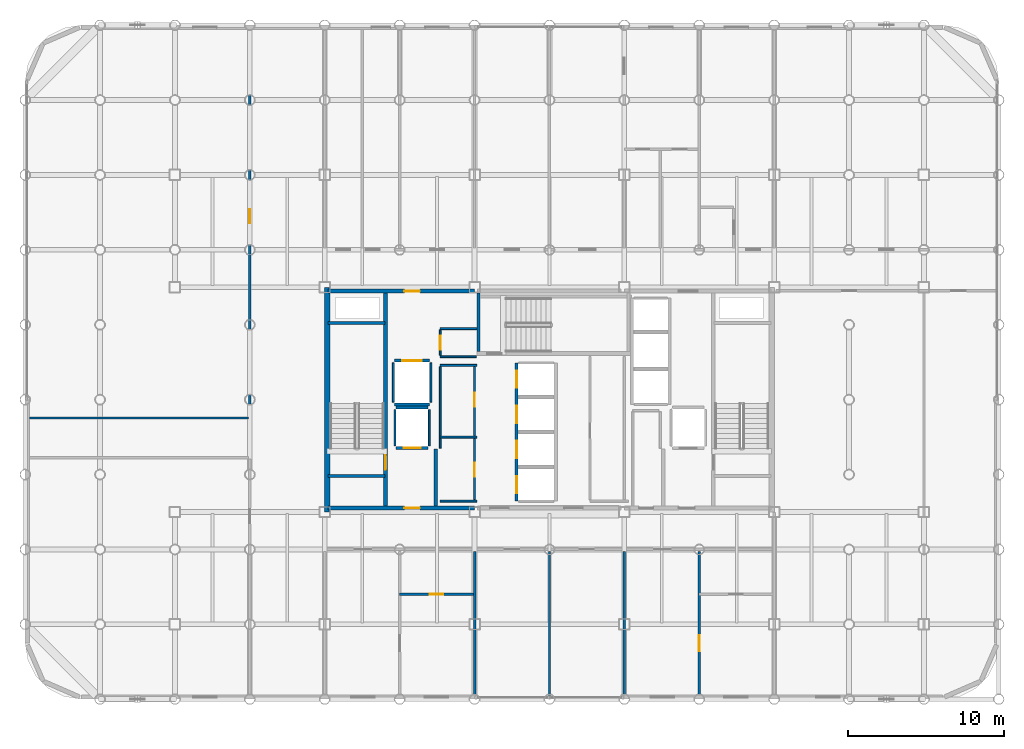
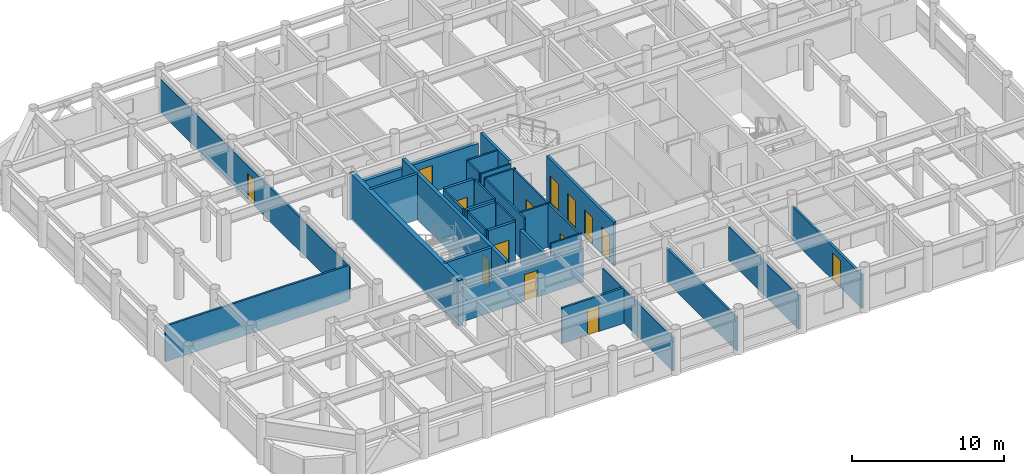
# One storey, part 16 of 20: 32 walls, 15 doors, 15 openings.
"""IFC4 building model written with IfcOpenShell, lengths in metres."""

from ifc_helpers import new_model, si_unit, direction, frame, frame_2d, origin, place, context, subcontext, project, spatial, rectangle, extrude, material, layer, layer_set, type_object, element, fill, save


model = new_model("IFC4")

# Units and contexts
model_context = context("Model", 3, precision=1e-05, world=origin(), true_north=direction((0.0, 1.0)))
body_context = subcontext(model_context, "Body", "Model", "MODEL_VIEW")
ifc_project = project(units=[si_unit("LENGTHUNIT", "METRE"), si_unit("AREAUNIT", "SQUARE_METRE"), si_unit("VOLUMEUNIT", "CUBIC_METRE"), si_unit("PLANEANGLEUNIT", "RADIAN"), si_unit("MASSUNIT", "GRAM", prefix="KILO")], contexts=[model_context])

# Site, building, storey
site_placement = place(None, origin())
site = spatial("IfcSite", under=ifc_project, at=site_placement, CompositionType="ELEMENT")
building_placement = place(site_placement, origin())
building = spatial("IfcBuilding", under=site, at=building_placement, Name="Kallvorn Hotel Tower", CompositionType="ELEMENT")
storey_placement = place(building_placement, frame((0.0, 0.0, 135.89990234375)))
storey = spatial("IfcBuildingStorey", under=building, at=storey_placement, Name="L33", CompositionType="ELEMENT", Elevation=135.89990234375)

# Wall
ifc_material_1 = material(Name="Concrete C50/60", Category="concrete")
ifc_layer_1 = layer(ifc_material_1, 0.35009765625)
ifc_layer_set_1 = layer_set([ifc_layer_1], Name="WL_CORE_350")
wall_type_1 = type_object("IfcWallType", Name="WL_CORE_350", PredefinedType="SHEAR", material=ifc_layer_set_1)
wall_1_placement = place(storey_placement, frame((-14.239990234375, -7.199951171875, -0.179931640625), z_axis=(0.0, 0.0, 1.0), x_axis=(0.0, 1.0, 0.0)))
element("IfcWall", 1, at=wall_1_placement, inside=storey, type_object=wall_type_1, Name="L33 Core West Shear Wall", PredefinedType="SHEAR", context=body_context, shape_type="SweptSolid", body=[
    extrude(rectangle(XDim=14.39990234375, YDim=0.35009765625, at=frame_2d((7.199951171875, 0.0))), origin(), (0.0, 0.0, 1.0), 3.699951171875),
])

# Wall, opening, door
ifc_material_2 = material(Name="Fire-rated double-layer acoustic gypsum drywall EI 60")
ifc_layer_2 = layer(ifc_material_2, 0.159912109375)
ifc_layer_set_2 = layer_set([ifc_layer_2], Name="WL_DEMISE_160")
wall_type_2 = type_object("IfcWallType", Name="WL_DEMISE_160", PredefinedType="PARTITIONING", material=ifc_layer_set_2)
wall_2_placement = place(storey_placement, frame((-9.60009765625, -12.469970703125, 0.0), z_axis=(0.0, 0.0, 1.0), x_axis=(1.0, 0.0, 0.0)))
wall_2 = element("IfcWall", 2, at=wall_2_placement, inside=storey, type_object=wall_type_2, Name="L33 Suite 3301 Executive Bedroom Partition", PredefinedType="PARTITIONING", context=body_context, shape_type="SweptSolid", body=[
    extrude(rectangle(XDim=4.72021484375, YDim=0.159912109375, at=frame_2d((2.360107421875, 0.0))), origin(), (0.0, 0.0, 1.0), 2.8701171875),
])
opening_1_placement = place(wall_2_placement, frame((1.929931640625, 0.0, 0.0)))
opening_1 = element("IfcOpeningElement", 3, at=opening_1_placement, cuts=wall_2, Name="Opening BD-I", PredefinedType="OPENING", context=body_context, shape_type="SweptSolid", body=[
    extrude(rectangle(XDim=0.860107421875, YDim=2.10009765625, at=frame_2d((0.43017578125, 1.050048828125))), frame((0.0, 0.094970703125, 0.0), z_axis=(0.0, -1.0, 0.0), x_axis=(1.0, 0.0, 0.0)), (0.0, 0.0, 1.0), 0.18994140625),
])
ifc_material_3 = material(Name="Solid-core walnut veneer fire-rated timber door leaf", Category="wood")
door_type_1 = type_object("IfcDoorType", Name="DR_BATH_860x2100", OperationType="NOTDEFINED", PredefinedType="DOOR", material=ifc_material_3)
door_1_placement = place(opening_1_placement, origin())
door_1 = element("IfcDoor", 4, at=door_1_placement, inside=storey, type_object=door_type_1, Name="L33 Suite 3301 En-Suite Bathroom Door", OperationType="SINGLE_SWING_RIGHT", OverallHeight=2.10009765625, OverallWidth=0.860107421875, PredefinedType="DOOR", context=body_context, shape_type="SweptSolid", body=[
    extrude(rectangle(XDim=0.860107421875, YDim=2.10009765625, at=frame_2d((0.43017578125, 1.050048828125))), frame((0.0, 0.02490234375, 0.0), z_axis=(0.0, -1.0, 0.0), x_axis=(1.0, 0.0, 0.0)), (0.0, 0.0, 1.0), 0.050048828125),
])
fill(opening_1, door_1)

# Walls
for number, where, z_axis, x_axis, name in (
    (5, (-4.800048828125, -18.909912109375, 0.0), (0.0, 0.0, 1.0), (0.0, 1.0, 0.0), "L33 Suite 3301 Executive Bedroom Partition"),
    (6, (4.800048828125, -18.909912109375, 0.0), (0.0, 0.0, 1.0), (0.0, 1.0, 0.0), "L33 Suite 3302 Executive Living Salon Partition"),
):
    element("IfcWall", number, at=place(storey_placement, frame(where, z_axis=z_axis, x_axis=x_axis)), inside=storey, type_object=wall_type_2, Name=name, PredefinedType="PARTITIONING", context=body_context, shape_type="SweptSolid", body=[
        extrude(rectangle(XDim=9.18994140625, YDim=0.159912109375, at=frame_2d((4.594970703125, 0.0))), origin(), (0.0, 0.0, 1.0), 2.72021484375),
    ])

# Wall, opening, door
wall_3_placement = place(storey_placement, frame((9.60009765625, -18.909912109375, 0.0), z_axis=(0.0, 0.0, 1.0), x_axis=(0.0, 1.0, 0.0)))
wall_3 = element("IfcWall", 7, at=wall_3_placement, inside=storey, type_object=wall_type_2, Name="L33 Suite 3302 Executive Bedroom Partition", PredefinedType="PARTITIONING", context=body_context, shape_type="SweptSolid", body=[
    extrude(rectangle(XDim=9.18994140625, YDim=0.159912109375, at=frame_2d((4.594970703125, 0.0))), origin(), (0.0, 0.0, 1.0), 2.72021484375),
])
opening_2_placement = place(wall_3_placement, frame((2.77490234375, 0.0, 0.0)))
opening_2 = element("IfcOpeningElement", 8, at=opening_2_placement, cuts=wall_3, Name="Opening GD2", PredefinedType="OPENING", context=body_context, shape_type="SweptSolid", body=[
    extrude(rectangle(XDim=1.050048828125, YDim=2.199951171875, at=frame_2d((0.52490234375, 1.10009765625))), frame((0.0, 0.094970703125, 0.0), z_axis=(0.0, -1.0, 0.0), x_axis=(1.0, 0.0, 0.0)), (0.0, 0.0, 1.0), 0.18994140625),
])
ifc_material_4 = material(Name="Solid-core walnut veneer fire-rated timber door leaf", Category="wood")
door_type_2 = type_object("IfcDoorType", Name="DR_SUITE_1050x2200", OperationType="NOTDEFINED", PredefinedType="DOOR", material=ifc_material_4)
door_2_placement = place(opening_2_placement, origin())
door_2 = element("IfcDoor", 9, at=door_2_placement, inside=storey, type_object=door_type_2, Name="L33 Suite 3302 Executive Bedroom Door", OperationType="SINGLE_SWING_LEFT", OverallHeight=2.199951171875, OverallWidth=1.050048828125, PredefinedType="DOOR", context=body_context, shape_type="SweptSolid", body=[
    extrude(rectangle(XDim=1.050048828125, YDim=2.199951171875, at=frame_2d((0.52490234375, 1.10009765625))), frame((0.0, 0.02490234375, 0.0), z_axis=(0.0, -1.0, 0.0), x_axis=(1.0, 0.0, 0.0)), (0.0, 0.0, 1.0), 0.050048828125),
])
fill(opening_2, door_2)

# Walls
ifc_material_5 = material(Name="Concrete C40/50", Category="concrete")
ifc_layer_3 = layer(ifc_material_5, 0.219970703125)
ifc_layer_set_3 = layer_set([ifc_layer_3], Name="WL_FFL_220")
wall_type_3 = type_object("IfcWallType", Name="WL_FFL_220", PredefinedType="SOLIDWALL", material=ifc_layer_set_3)
wall_4_placement = place(storey_placement, frame((-7.300048828125, -6.820068359375, 0.0), z_axis=(0.0, 0.0, 1.0), x_axis=(0.0, 1.0, 0.0)))
element("IfcWall", 10, at=wall_4_placement, inside=storey, type_object=wall_type_3, Name="L33 Firefighting Lobby West Divider Wall", PredefinedType="SOLIDWALL", context=body_context, shape_type="SweptSolid", body=[
    extrude(rectangle(XDim=3.670166015625, YDim=0.219970703125, at=frame_2d((1.8349609375, 0.0))), origin(), (0.0, 0.0, 1.0), 2.72021484375),
])
ifc_material_6 = material(Name="Concrete C40/50", Category="concrete")
ifc_layer_4 = layer(ifc_material_6, 0.199951171875)
ifc_layer_set_4 = layer_set([ifc_layer_4], Name="WL_HOIST_200")
wall_type_4 = type_object("IfcWallType", Name="WL_HOIST_200", PredefinedType="SOLIDWALL", material=ifc_layer_set_4)
for number, where, z_axis, x_axis, name in (
    (11, (-14.199951171875, -4.89990234375, -0.179931640625), (0.0, 0.0, 1.0), (1.0, 0.0, 0.0), "L33 Stair ST1 South Wall"),
    (12, (-14.199951171875, 4.89990234375, -0.179931640625), (0.0, 0.0, 1.0), (1.0, 0.0, 0.0), "L33 Stair ST1 North Wall"),
):
    element("IfcWall", number, at=place(storey_placement, frame(where, z_axis=z_axis, x_axis=x_axis)), inside=storey, type_object=wall_type_4, Name=name, PredefinedType="SOLIDWALL", context=body_context, shape_type="SweptSolid", body=[
        extrude(rectangle(XDim=3.64990234375, YDim=0.199951171875, at=frame_2d((1.824951171875, 0.0))), origin(), (0.0, 0.0, 1.0), 3.699951171875),
    ])
wall_5_placement = place(storey_placement, frame((-4.550048828125, 3.080078125, -0.179931640625), z_axis=(0.0, 0.0, 1.0), x_axis=(0.0, 1.0, 0.0)))
element("IfcWall", 13, at=wall_5_placement, inside=storey, type_object=wall_type_4, Name="L33 Stair ST3 West Wall", PredefinedType="SOLIDWALL", context=body_context, shape_type="SweptSolid", body=[
    extrude(rectangle(XDim=3.739990234375, YDim=0.199951171875, at=frame_2d((1.8701171875, 0.0))), origin(), (0.0, 0.0, 1.0), 3.699951171875),
])

# Wall, openings, doors
wall_6_placement = place(storey_placement, frame((-2.10009765625, -6.5, 0.0), z_axis=(0.0, 0.0, 1.0), x_axis=(0.0, 1.0, 0.0)))
wall_6 = element("IfcWall", 14, at=wall_6_placement, inside=storey, type_object=wall_type_4, Name="L33 Lift Bank B2 Landing Wall", PredefinedType="SOLIDWALL", context=body_context, shape_type="SweptSolid", body=[
    extrude(rectangle(XDim=8.85009765625, YDim=0.199951171875, at=frame_2d((4.425048828125, 0.0))), origin(), (0.0, 0.0, 1.0), 3.52001953125),
])
opening_3_placement = place(wall_6_placement, frame((0.5, 0.0, 0.0)))
opening_3 = element("IfcOpeningElement", 15, at=opening_3_placement, cuts=wall_6, Name="Opening LD-PL-05", PredefinedType="OPENING", context=body_context, shape_type="SweptSolid", body=[
    extrude(rectangle(XDim=1.10009765625, YDim=2.199951171875, at=frame_2d((0.550048828125, 1.10009765625))), frame((0.0, 0.114990234375, 0.0), z_axis=(0.0, -1.0, 0.0), x_axis=(1.0, 0.0, 0.0)), (0.0, 0.0, 1.0), 0.22998046875),
])
opening_4_placement = place(wall_6_placement, frame((2.75, 0.0, 0.0)))
opening_4 = element("IfcOpeningElement", 16, at=opening_4_placement, cuts=wall_6, Name="Opening LD-PL-06", PredefinedType="OPENING", context=body_context, shape_type="SweptSolid", body=[
    extrude(rectangle(XDim=1.10009765625, YDim=2.199951171875, at=frame_2d((0.550048828125, 1.10009765625))), frame((0.0, 0.114990234375, 0.0), z_axis=(0.0, -1.0, 0.0), x_axis=(1.0, 0.0, 0.0)), (0.0, 0.0, 1.0), 0.22998046875),
])
opening_5_placement = place(wall_6_placement, frame((5.0, 0.0, 0.0)))
opening_5 = element("IfcOpeningElement", 17, at=opening_5_placement, cuts=wall_6, Name="Opening LD-PL-07", PredefinedType="OPENING", context=body_context, shape_type="SweptSolid", body=[
    extrude(rectangle(XDim=1.10009765625, YDim=2.199951171875, at=frame_2d((0.550048828125, 1.10009765625))), frame((0.0, 0.114990234375, 0.0), z_axis=(0.0, -1.0, 0.0), x_axis=(1.0, 0.0, 0.0)), (0.0, 0.0, 1.0), 0.22998046875),
])
opening_6_placement = place(wall_6_placement, frame((7.25, 0.0, 0.0)))
opening_6 = element("IfcOpeningElement", 18, at=opening_6_placement, cuts=wall_6, Name="Opening LD-PL-08", PredefinedType="OPENING", context=body_context, shape_type="SweptSolid", body=[
    extrude(rectangle(XDim=1.10009765625, YDim=2.199951171875, at=frame_2d((0.550048828125, 1.10009765625))), frame((0.0, 0.114990234375, 0.0), z_axis=(0.0, -1.0, 0.0), x_axis=(1.0, 0.0, 0.0)), (0.0, 0.0, 1.0), 0.22998046875),
])
ifc_material_7 = material(Name="Brushed stainless-steel automatic sliding lift landing door", Category="steel")
door_type_3 = type_object("IfcDoorType", Name="LD_PASS_1100x2200", OperationType="SLIDING_TO_LEFT", PredefinedType="DOOR", material=ifc_material_7)
door_3_placement = place(opening_3_placement, origin())
door_3 = element("IfcDoor", 19, at=door_3_placement, inside=storey, type_object=door_type_3, Name="L33 Lift Landing Sliding Door LD-PL-05", OperationType="SLIDING_TO_LEFT", OverallHeight=2.199951171875, OverallWidth=1.10009765625, PredefinedType="DOOR", context=body_context, shape_type="SweptSolid", body=[
    extrude(rectangle(XDim=1.10009765625, YDim=2.199951171875, at=frame_2d((0.550048828125, 1.10009765625))), frame((0.0, 0.02490234375, 0.0), z_axis=(0.0, -1.0, 0.0), x_axis=(1.0, 0.0, 0.0)), (0.0, 0.0, 1.0), 0.050048828125),
])
fill(opening_3, door_3)
door_4_placement = place(opening_4_placement, origin())
door_4 = element("IfcDoor", 20, at=door_4_placement, inside=storey, type_object=door_type_3, Name="L33 Lift Landing Sliding Door LD-PL-06", OperationType="SLIDING_TO_LEFT", OverallHeight=2.199951171875, OverallWidth=1.10009765625, PredefinedType="DOOR", context=body_context, shape_type="SweptSolid", body=[
    extrude(rectangle(XDim=1.10009765625, YDim=2.199951171875, at=frame_2d((0.550048828125, 1.10009765625))), frame((0.0, 0.02490234375, 0.0), z_axis=(0.0, -1.0, 0.0), x_axis=(1.0, 0.0, 0.0)), (0.0, 0.0, 1.0), 0.050048828125),
])
fill(opening_4, door_4)
door_5_placement = place(opening_5_placement, origin())
door_5 = element("IfcDoor", 21, at=door_5_placement, inside=storey, type_object=door_type_3, Name="L33 Lift Landing Sliding Door LD-PL-07", OperationType="SLIDING_TO_LEFT", OverallHeight=2.199951171875, OverallWidth=1.10009765625, PredefinedType="DOOR", context=body_context, shape_type="SweptSolid", body=[
    extrude(rectangle(XDim=1.10009765625, YDim=2.199951171875, at=frame_2d((0.550048828125, 1.10009765625))), frame((0.0, 0.02490234375, 0.0), z_axis=(0.0, -1.0, 0.0), x_axis=(1.0, 0.0, 0.0)), (0.0, 0.0, 1.0), 0.050048828125),
])
fill(opening_5, door_5)
door_6_placement = place(opening_6_placement, origin())
door_6 = element("IfcDoor", 22, at=door_6_placement, inside=storey, type_object=door_type_3, Name="L33 Lift Landing Sliding Door LD-PL-08", OperationType="SLIDING_TO_LEFT", OverallHeight=2.199951171875, OverallWidth=1.10009765625, PredefinedType="DOOR", context=body_context, shape_type="SweptSolid", body=[
    extrude(rectangle(XDim=1.10009765625, YDim=2.199951171875, at=frame_2d((0.550048828125, 1.10009765625))), frame((0.0, 0.02490234375, 0.0), z_axis=(0.0, -1.0, 0.0), x_axis=(1.0, 0.0, 0.0)), (0.0, 0.0, 1.0), 0.050048828125),
])
fill(opening_6, door_6)

# Wall, opening, door
wall_7_placement = place(storey_placement, frame((-9.820068359375, -3.10009765625, 0.0), z_axis=(0.0, 0.0, 1.0), x_axis=(1.0, 0.0, 0.0)))
wall_7 = element("IfcWall", 23, at=wall_7_placement, inside=storey, type_object=wall_type_4, Name="L33 FL-1 Landing Wall", PredefinedType="SOLIDWALL", context=body_context, shape_type="SweptSolid", body=[
    extrude(rectangle(XDim=2.0400390625, YDim=0.199951171875, at=frame_2d((1.02001953125, 0.0))), origin(), (0.0, 0.0, 1.0), 3.52001953125),
])
opening_7_placement = place(wall_7_placement, frame((0.469970703125, 0.0, 0.0)))
opening_7 = element("IfcOpeningElement", 24, at=opening_7_placement, cuts=wall_7, Name="Opening LD-FL-1", PredefinedType="OPENING", context=body_context, shape_type="SweptSolid", body=[
    extrude(rectangle(XDim=1.10009765625, YDim=2.199951171875, at=frame_2d((0.550048828125, 1.10009765625))), frame((0.0, 0.114990234375, 0.0), z_axis=(0.0, -1.0, 0.0), x_axis=(1.0, 0.0, 0.0)), (0.0, 0.0, 1.0), 0.22998046875),
])
door_7_placement = place(opening_7_placement, origin())
door_7 = element("IfcDoor", 25, at=door_7_placement, inside=storey, type_object=door_type_3, Name="L33 Lift Landing Sliding Door LD-FL-1", OperationType="SLIDING_TO_LEFT", OverallHeight=2.199951171875, OverallWidth=1.10009765625, PredefinedType="DOOR", context=body_context, shape_type="SweptSolid", body=[
    extrude(rectangle(XDim=1.10009765625, YDim=2.199951171875, at=frame_2d((0.550048828125, 1.10009765625))), frame((0.0, 0.02490234375, 0.0), z_axis=(0.0, -1.0, 0.0), x_axis=(1.0, 0.0, 0.0)), (0.0, 0.0, 1.0), 0.050048828125),
])
fill(opening_7, door_7)

# Wall
wall_8_placement = place(storey_placement, frame((-9.820068359375, -0.5, 0.0), z_axis=(0.0, 0.0, 1.0), x_axis=(1.0, 0.0, 0.0)))
element("IfcWall", 26, at=wall_8_placement, inside=storey, type_object=wall_type_4, Name="L33 FL-1 Rear Shaft Wall", PredefinedType="SOLIDWALL", context=body_context, shape_type="SweptSolid", body=[
    extrude(rectangle(XDim=2.0400390625, YDim=0.199951171875, at=frame_2d((1.02001953125, 0.0))), origin(), (0.0, 0.0, 1.0), 3.52001953125),
])

# Wall, opening, door
wall_9_placement = place(storey_placement, frame((-9.919921875, 2.5, 0.0), z_axis=(0.0, 0.0, 1.0), x_axis=(1.0, 0.0, 0.0)))
wall_9 = element("IfcWall", 27, at=wall_9_placement, inside=storey, type_object=wall_type_4, Name="L33 SV-01 Landing Wall", PredefinedType="SOLIDWALL", context=body_context, shape_type="SweptSolid", body=[
    extrude(rectangle(XDim=2.239990234375, YDim=0.199951171875, at=frame_2d((1.1201171875, 0.0))), origin(), (0.0, 0.0, 1.0), 3.52001953125),
])
opening_8_placement = place(wall_9_placement, frame((0.4951171875, 0.0, 0.0)))
opening_8 = element("IfcOpeningElement", 28, at=opening_8_placement, cuts=wall_9, Name="Opening LD-SV-01", PredefinedType="OPENING", context=body_context, shape_type="SweptSolid", body=[
    extrude(rectangle(XDim=1.25, YDim=2.25, at=frame_2d((0.625, 1.125))), frame((0.0, 0.114990234375, 0.0), z_axis=(0.0, -1.0, 0.0), x_axis=(1.0, 0.0, 0.0)), (0.0, 0.0, 1.0), 0.22998046875),
])
ifc_material_8 = material(Name="Brushed stainless-steel automatic sliding lift landing door", Category="steel")
door_type_4 = type_object("IfcDoorType", Name="LD_SERV_1250x2250", OperationType="SLIDING_TO_LEFT", PredefinedType="DOOR", material=ifc_material_8)
door_8_placement = place(opening_8_placement, origin())
door_8 = element("IfcDoor", 29, at=door_8_placement, inside=storey, type_object=door_type_4, Name="L33 Lift Landing Sliding Door LD-SV-01", OperationType="SLIDING_TO_LEFT", OverallHeight=2.25, OverallWidth=1.25, PredefinedType="DOOR", context=body_context, shape_type="SweptSolid", body=[
    extrude(rectangle(XDim=1.25, YDim=2.25, at=frame_2d((0.625, 1.125))), frame((0.0, 0.02490234375, 0.0), z_axis=(0.0, -1.0, 0.0), x_axis=(1.0, 0.0, 0.0)), (0.0, 0.0, 1.0), 0.050048828125),
])
fill(opening_8, door_8)

# Walls
wall_10_placement = place(storey_placement, frame((-9.919921875, -0.300048828125, 0.0), z_axis=(0.0, 0.0, 1.0), x_axis=(1.0, 0.0, 0.0)))
element("IfcWall", 30, at=wall_10_placement, inside=storey, type_object=wall_type_4, Name="L33 SV-01 Rear Shaft Wall", PredefinedType="SOLIDWALL", context=body_context, shape_type="SweptSolid", body=[
    extrude(rectangle(XDim=2.239990234375, YDim=0.199951171875, at=frame_2d((1.1201171875, 0.0))), origin(), (0.0, 0.0, 1.0), 3.52001953125),
])
ifc_material_9 = material(Name="Fire-rated double-layer acoustic gypsum drywall EI 60")
ifc_layer_5 = layer(ifc_material_9, 0.1201171875)
ifc_layer_set_5 = layer_set([ifc_layer_5], Name="WL_INT_120")
wall_type_5 = type_object("IfcWallType", Name="WL_INT_120", PredefinedType="PARTITIONING", material=ifc_layer_set_5)
for number, where, z_axis, x_axis, name in (
    (31, (-9.89990234375, -2.9599609375, 0.0), (0.0, 0.0, 1.0), (0.0, 1.0, 0.0), "L33 FL-1 West Shaft Wall"),
    (32, (-7.699951171875, -2.9599609375, 0.0), (0.0, 0.0, 1.0), (0.0, 1.0, 0.0), "L33 FL-1 East Shaft Wall"),
):
    element("IfcWall", number, at=place(storey_placement, frame(where, z_axis=z_axis, x_axis=x_axis)), inside=storey, type_object=wall_type_5, Name=name, PredefinedType="PARTITIONING", context=body_context, shape_type="SweptSolid", body=[
        extrude(rectangle(XDim=2.320068359375, YDim=0.1201171875, at=frame_2d((1.16015625, 0.0))), origin(), (0.0, 0.0, 1.0), 3.52001953125),
    ])
for number, where, z_axis, x_axis, name in (
    (33, (-10.0, -0.159912109375, 0.0), (0.0, 0.0, 1.0), (0.0, 1.0, 0.0), "L33 SV-01 West Shaft Wall"),
    (34, (-7.60009765625, -0.159912109375, 0.0), (0.0, 0.0, 1.0), (0.0, 1.0, 0.0), "L33 SV-01 East Shaft Wall"),
):
    element("IfcWall", number, at=place(storey_placement, frame(where, z_axis=z_axis, x_axis=x_axis)), inside=storey, type_object=wall_type_5, Name=name, PredefinedType="PARTITIONING", context=body_context, shape_type="SweptSolid", body=[
        extrude(rectangle(XDim=2.52001953125, YDim=0.1201171875, at=frame_2d((1.260009765625, 0.0))), origin(), (0.0, 0.0, 1.0), 3.52001953125),
    ])
for number, where, z_axis, x_axis, name in (
    (35, (-7.0, -6.5, 0.0), (0.0, 0.0, 1.0), (1.0, 0.0, 0.0), "L33 Recaptured South Minibar Pantry Partition"),
    (36, (-7.0, -2.39990234375, 0.0), (0.0, 0.0, 1.0), (1.0, 0.0, 0.0), "L33 Recaptured Central Linen Store Partition"),
    (37, (-7.0, 2.199951171875, 0.0), (0.0, 0.0, 1.0), (1.0, 0.0, 0.0), "L33 Recaptured Central Linen Store Partition"),
):
    element("IfcWall", number, at=place(storey_placement, frame(where, z_axis=z_axis, x_axis=x_axis)), inside=storey, type_object=wall_type_5, Name=name, PredefinedType="PARTITIONING", context=body_context, shape_type="SweptSolid", body=[
        extrude(rectangle(XDim=2.35009765625, YDim=0.1201171875, at=frame_2d((1.175048828125, 0.0))), origin(), (0.0, 0.0, 1.0), 3.52001953125),
    ])
wall_11_placement = place(storey_placement, frame((-7.0, 2.75, 0.0), z_axis=(0.0, 0.0, 1.0), x_axis=(1.0, 0.0, 0.0)))
element("IfcWall", 38, at=wall_11_placement, inside=storey, type_object=wall_type_5, Name="L33 Recaptured North Valet Closet Partition", PredefinedType="PARTITIONING", context=body_context, shape_type="SweptSolid", body=[
    extrude(rectangle(XDim=2.31005859375, YDim=0.1201171875, at=frame_2d((1.155029296875, 0.0))), origin(), (0.0, 0.0, 1.0), 3.52001953125),
])
wall_12_placement = place(storey_placement, frame((-7.0, 4.550048828125, 0.0), z_axis=(0.0, 0.0, 1.0), x_axis=(1.0, 0.0, 0.0)))
element("IfcWall", 39, at=wall_12_placement, inside=storey, type_object=wall_type_5, Name="L33 Recaptured North Valet Closet Partition", PredefinedType="PARTITIONING", context=body_context, shape_type="SweptSolid", body=[
    extrude(rectangle(XDim=2.35009765625, YDim=0.1201171875, at=frame_2d((1.175048828125, 0.0))), origin(), (0.0, 0.0, 1.0), 3.52001953125),
])
wall_13_placement = place(storey_placement, frame((-7.0, -3.110107421875, 0.0), z_axis=(0.0, 0.0, 1.0), x_axis=(0.0, 1.0, 0.0)))
element("IfcWall", 40, at=wall_13_placement, inside=storey, type_object=wall_type_5, Name="L33 Recaptured South Minibar Pantry Partition", PredefinedType="PARTITIONING", context=body_context, shape_type="SweptSolid", body=[
    extrude(rectangle(XDim=5.22509765625, YDim=0.1201171875, at=frame_2d((2.612548828125, 0.0))), origin(), (0.0, 0.0, 1.0), 3.52001953125),
])

# Wall, opening, door
wall_14_placement = place(storey_placement, frame((-7.0, 2.8349609375, 0.0), z_axis=(0.0, 0.0, 1.0), x_axis=(0.0, 1.0, 0.0)))
wall_14 = element("IfcWall", 41, at=wall_14_placement, inside=storey, type_object=wall_type_5, Name="L33 Recaptured North Valet Closet Partition", PredefinedType="PARTITIONING", context=body_context, shape_type="SweptSolid", body=[
    extrude(rectangle(XDim=1.630126953125, YDim=0.1201171875, at=frame_2d((0.81494140625, 0.0))), origin(), (0.0, 0.0, 1.0), 3.52001953125),
])
opening_9_placement = place(wall_14_placement, frame((0.364990234375, 0.0, 0.0)))
opening_9 = element("IfcOpeningElement", 42, at=opening_9_placement, cuts=wall_14, Name="Opening SVD1", PredefinedType="OPENING", context=body_context, shape_type="SweptSolid", body=[
    extrude(rectangle(XDim=0.89990234375, YDim=2.10009765625, at=frame_2d((0.449951171875, 1.050048828125))), frame((0.0, 0.074951171875, 0.0), z_axis=(0.0, -1.0, 0.0), x_axis=(1.0, 0.0, 0.0)), (0.0, 0.0, 1.0), 0.150146484375),
])
ifc_material_10 = material(Name="Galvanised painted steel fire-rated door assembly", Category="steel")
door_type_5 = type_object("IfcDoorType", Name="DR_SERV_900x2100", OperationType="NOTDEFINED", PredefinedType="DOOR", material=ifc_material_10)
door_9_placement = place(opening_9_placement, origin())
door_9 = element("IfcDoor", 43, at=door_9_placement, inside=storey, type_object=door_type_5, Name="L33 Recaptured North Valet Closet Door", OperationType="SINGLE_SWING_LEFT", OverallHeight=2.10009765625, OverallWidth=0.89990234375, PredefinedType="DOOR", context=body_context, shape_type="SweptSolid", body=[
    extrude(rectangle(XDim=0.89990234375, YDim=2.10009765625, at=frame_2d((0.449951171875, 1.050048828125))), frame((0.0, 0.02490234375, 0.0), z_axis=(0.0, -1.0, 0.0), x_axis=(1.0, 0.0, 0.0)), (0.0, 0.0, 1.0), 0.050048828125),
])
fill(opening_9, door_9)

# Wall, openings, doors
wall_15_placement = place(storey_placement, frame((-4.800048828125, -6.4150390625, 0.0), z_axis=(0.0, 0.0, 1.0), x_axis=(0.0, 1.0, 0.0)))
wall_15 = element("IfcWall", 44, at=wall_15_placement, inside=storey, type_object=wall_type_5, Name="L33 Recaptured South Minibar Pantry Partition", PredefinedType="PARTITIONING", context=body_context, shape_type="SweptSolid", body=[
    extrude(rectangle(XDim=8.530029296875, YDim=0.1201171875, at=frame_2d((4.26513671875, 0.0))), origin(), (0.0, 0.0, 1.0), 3.52001953125),
])
opening_10_placement = place(wall_15_placement, frame((1.465087890625, 0.0, 0.0)))
opening_10 = element("IfcOpeningElement", 45, at=opening_10_placement, cuts=wall_15, Name="Opening SVD1", PredefinedType="OPENING", context=body_context, shape_type="SweptSolid", body=[
    extrude(rectangle(XDim=0.89990234375, YDim=2.10009765625, at=frame_2d((0.449951171875, 1.050048828125))), frame((0.0, 0.074951171875, 0.0), z_axis=(0.0, -1.0, 0.0), x_axis=(1.0, 0.0, 0.0)), (0.0, 0.0, 1.0), 0.150146484375),
])
opening_11_placement = place(wall_15_placement, frame((5.965087890625, 0.0, 0.0)))
opening_11 = element("IfcOpeningElement", 46, at=opening_11_placement, cuts=wall_15, Name="Opening SVD1", PredefinedType="OPENING", context=body_context, shape_type="SweptSolid", body=[
    extrude(rectangle(XDim=0.89990234375, YDim=2.10009765625, at=frame_2d((0.449951171875, 1.050048828125))), frame((0.0, 0.074951171875, 0.0), z_axis=(0.0, -1.0, 0.0), x_axis=(1.0, 0.0, 0.0)), (0.0, 0.0, 1.0), 0.150146484375),
])
door_10_placement = place(opening_10_placement, origin())
door_10 = element("IfcDoor", 47, at=door_10_placement, inside=storey, type_object=door_type_5, Name="L33 Recaptured South Minibar Pantry Door", OperationType="SINGLE_SWING_LEFT", OverallHeight=2.10009765625, OverallWidth=0.89990234375, PredefinedType="DOOR", context=body_context, shape_type="SweptSolid", body=[
    extrude(rectangle(XDim=0.89990234375, YDim=2.10009765625, at=frame_2d((0.449951171875, 1.050048828125))), frame((0.0, 0.02490234375, 0.0), z_axis=(0.0, -1.0, 0.0), x_axis=(1.0, 0.0, 0.0)), (0.0, 0.0, 1.0), 0.050048828125),
])
fill(opening_10, door_10)
door_11_placement = place(opening_11_placement, origin())
door_11 = element("IfcDoor", 48, at=door_11_placement, inside=storey, type_object=door_type_5, Name="L33 Recaptured Central Linen Store Door", OperationType="SINGLE_SWING_RIGHT", OverallHeight=2.10009765625, OverallWidth=0.89990234375, PredefinedType="DOOR", context=body_context, shape_type="SweptSolid", body=[
    extrude(rectangle(XDim=0.89990234375, YDim=2.10009765625, at=frame_2d((0.449951171875, 1.050048828125))), frame((0.0, 0.02490234375, 0.0), z_axis=(0.0, -1.0, 0.0), x_axis=(1.0, 0.0, 0.0)), (0.0, 0.0, 1.0), 0.050048828125),
])
fill(opening_11, door_11)

# Wall
ifc_material_11 = material(Name="Fire-rated double-layer acoustic gypsum drywall EI 60")
ifc_layer_6 = layer(ifc_material_11, 0.14990234375)
ifc_layer_set_6 = layer_set([ifc_layer_6], Name="WL_PART_150")
wall_type_6 = type_object("IfcWallType", Name="WL_PART_150", PredefinedType="PARTITIONING", material=ifc_layer_set_6)
wall_16_placement = place(storey_placement, frame((-33.31005859375, -1.179931640625, 0.0), z_axis=(0.0, 0.0, 1.0), x_axis=(1.0, 0.0, 0.0)))
element("IfcWall", 49, at=wall_16_placement, inside=storey, type_object=wall_type_6, Name="L33 L33 North-West Cordillera Fitness Gymnasium Partition", PredefinedType="PARTITIONING", context=body_context, shape_type="SweptSolid", body=[
    extrude(rectangle(XDim=14.030029296875, YDim=0.14990234375, at=frame_2d((7.01513671875, 0.0))), origin(), (0.0, 0.0, 1.0), 2.8701171875),
])

# Wall, opening, door
wall_17_placement = place(storey_placement, frame((-19.199951171875, -1.094970703125, 0.0), z_axis=(0.0, 0.0, 1.0), x_axis=(0.0, 1.0, 0.0)))
wall_17 = element("IfcWall", 50, at=wall_17_placement, inside=storey, type_object=wall_type_6, Name="L33 L33 North-West Cordillera Fitness Gymnasium Partition", PredefinedType="PARTITIONING", context=body_context, shape_type="SweptSolid", body=[
    extrude(rectangle(XDim=24.804931640625, YDim=0.14990234375, at=frame_2d((12.40234375, 0.0))), origin(), (0.0, 0.0, 1.0), 2.72021484375),
])
opening_12_placement = place(wall_17_placement, frame((12.40185546875, 0.0, 0.0)))
opening_12 = element("IfcOpeningElement", 51, at=opening_12_placement, cuts=wall_17, Name="Opening SVD1", PredefinedType="OPENING", context=body_context, shape_type="SweptSolid", body=[
    extrude(rectangle(XDim=0.89990234375, YDim=2.10009765625, at=frame_2d((0.449951171875, 1.050048828125))), frame((0.0, 0.08984375, 0.0), z_axis=(0.0, -1.0, 0.0), x_axis=(1.0, 0.0, 0.0)), (0.0, 0.0, 1.0), 0.179931640625),
])
door_12_placement = place(opening_12_placement, origin())
door_12 = element("IfcDoor", 52, at=door_12_placement, inside=storey, type_object=door_type_5, Name="L33 L33 North-West Cordillera Fitness Gymnasium Door", OperationType="SINGLE_SWING_RIGHT", OverallHeight=2.10009765625, OverallWidth=0.89990234375, PredefinedType="DOOR", context=body_context, shape_type="SweptSolid", body=[
    extrude(rectangle(XDim=0.89990234375, YDim=2.10009765625, at=frame_2d((0.449951171875, 1.050048828125))), frame((0.0, 0.02490234375, 0.0), z_axis=(0.0, -1.0, 0.0), x_axis=(1.0, 0.0, 0.0)), (0.0, 0.0, 1.0), 0.050048828125),
])
fill(opening_12, door_12)

# Wall
wall_18_placement = place(storey_placement, frame((0.0, -18.9951171875, 0.0), z_axis=(0.0, 0.0, 1.0), x_axis=(0.0, 1.0, 0.0)))
element("IfcWall", 53, at=wall_18_placement, inside=storey, type_object=wall_type_6, Name="L33 L33 Executive Co-Working Open-Plan Office 2-1 Partition", PredefinedType="PARTITIONING", context=body_context, shape_type="SweptSolid", body=[
    extrude(rectangle(XDim=9.275146484375, YDim=0.14990234375, at=frame_2d((4.6376953125, 0.0))), origin(), (0.0, 0.0, 1.0), 2.72021484375),
])

# Wall, opening, door
ifc_material_12 = material(Name="Concrete C40/50", Category="concrete")
ifc_layer_7 = layer(ifc_material_12, 0.25)
ifc_layer_set_7 = layer_set([ifc_layer_7], Name="WL_SHAFT_250")
wall_type_7 = type_object("IfcWallType", Name="WL_SHAFT_250", PredefinedType="SOLIDWALL", material=ifc_layer_set_7)
wall_19_placement = place(storey_placement, frame((-14.199951171875, -6.949951171875, 0.0), z_axis=(0.0, 0.0, 1.0), x_axis=(1.0, 0.0, 0.0)))
wall_19 = element("IfcWall", 54, at=wall_19_placement, inside=storey, type_object=wall_type_7, Name="L33 Core South-West Wall", PredefinedType="SOLIDWALL", context=body_context, shape_type="SweptSolid", body=[
    extrude(rectangle(XDim=9.39990234375, YDim=0.25, at=frame_2d((4.699951171875, 0.0))), origin(), (0.0, 0.0, 1.0), 2.72021484375),
])
opening_13_placement = place(wall_19_placement, frame((4.89990234375, 0.0, 0.0)))
opening_13 = element("IfcOpeningElement", 55, at=opening_13_placement, cuts=wall_19, Name="Opening FD1", PredefinedType="OPENING", context=body_context, shape_type="SweptSolid", body=[
    extrude(rectangle(XDim=1.0, YDim=2.14990234375, at=frame_2d((0.5, 1.074951171875))), frame((0.0, 0.139892578125, 0.0), z_axis=(0.0, -1.0, 0.0), x_axis=(1.0, 0.0, 0.0)), (0.0, 0.0, 1.0), 0.280029296875),
])
ifc_material_13 = material(Name="Galvanised painted steel fire-rated door assembly", Category="steel")
door_type_6 = type_object("IfcDoorType", Name="DR_FFL_1000x2150", OperationType="NOTDEFINED", PredefinedType="DOOR", material=ifc_material_13)
door_13_placement = place(opening_13_placement, origin())
door_13 = element("IfcDoor", 56, at=door_13_placement, inside=storey, type_object=door_type_6, Name="L33 Firefighting Lobby West Door", OperationType="SINGLE_SWING_LEFT", OverallHeight=2.14990234375, OverallWidth=1.0, PredefinedType="DOOR", context=body_context, shape_type="SweptSolid", body=[
    extrude(rectangle(XDim=1.0, YDim=2.14990234375, at=frame_2d((0.5, 1.074951171875))), frame((0.0, 0.02490234375, 0.0), z_axis=(0.0, -1.0, 0.0), x_axis=(1.0, 0.0, 0.0)), (0.0, 0.0, 1.0), 0.050048828125),
])
fill(opening_13, door_13)

wall_20_placement = place(storey_placement, frame((-14.199951171875, 6.949951171875, 0.0), z_axis=(0.0, 0.0, 1.0), x_axis=(1.0, 0.0, 0.0)))
wall_20 = element("IfcWall", 57, at=wall_20_placement, inside=storey, type_object=wall_type_7, Name="L33 Core North-West Wall", PredefinedType="SOLIDWALL", context=body_context, shape_type="SweptSolid", body=[
    extrude(rectangle(XDim=9.39990234375, YDim=0.25, at=frame_2d((4.699951171875, 0.0))), origin(), (0.0, 0.0, 1.0), 2.72021484375),
])
opening_14_placement = place(wall_20_placement, frame((4.89990234375, 0.0, 0.0)))
opening_14 = element("IfcOpeningElement", 58, at=opening_14_placement, cuts=wall_20, Name="Opening FD1", PredefinedType="OPENING", context=body_context, shape_type="SweptSolid", body=[
    extrude(rectangle(XDim=1.0, YDim=2.14990234375, at=frame_2d((0.5, 1.074951171875))), frame((0.0, 0.139892578125, 0.0), z_axis=(0.0, -1.0, 0.0), x_axis=(1.0, 0.0, 0.0)), (0.0, 0.0, 1.0), 0.280029296875),
])
door_14_placement = place(opening_14_placement, origin())
door_14 = element("IfcDoor", 59, at=door_14_placement, inside=storey, type_object=door_type_6, Name="L33 Service Lift Lobby Door", OperationType="SINGLE_SWING_RIGHT", OverallHeight=2.14990234375, OverallWidth=1.0, PredefinedType="DOOR", context=body_context, shape_type="SweptSolid", body=[
    extrude(rectangle(XDim=1.0, YDim=2.14990234375, at=frame_2d((0.5, 1.074951171875))), frame((0.0, 0.02490234375, 0.0), z_axis=(0.0, -1.0, 0.0), x_axis=(1.0, 0.0, 0.0)), (0.0, 0.0, 1.0), 0.050048828125),
])
fill(opening_14, door_14)

wall_21_placement = place(storey_placement, frame((-10.5, -6.820068359375, -0.179931640625), z_axis=(0.0, 0.0, 1.0), x_axis=(0.0, 1.0, 0.0)))
wall_21 = element("IfcWall", 60, at=wall_21_placement, inside=storey, type_object=wall_type_7, Name="L33 Stair ST1 Shaft Wall", PredefinedType="SOLIDWALL", context=body_context, shape_type="SweptSolid", body=[
    extrude(rectangle(XDim=13.64013671875, YDim=0.25, at=frame_2d((6.820068359375, 0.0))), origin(), (0.0, 0.0, 1.0), 3.699951171875),
])
opening_15_placement = place(wall_21_placement, frame((2.320068359375, 0.0, 0.179931640625)))
opening_15 = element("IfcOpeningElement", 61, at=opening_15_placement, cuts=wall_21, Name="Opening SD1", PredefinedType="OPENING", context=body_context, shape_type="SweptSolid", body=[
    extrude(rectangle(XDim=0.949951171875, YDim=2.14990234375, at=frame_2d((0.47509765625, 1.074951171875))), frame((0.0, 0.139892578125, 0.0), z_axis=(0.0, -1.0, 0.0), x_axis=(1.0, 0.0, 0.0)), (0.0, 0.0, 1.0), 0.280029296875),
])
ifc_material_14 = material(Name="Galvanised painted steel fire-rated door assembly", Category="steel")
door_type_7 = type_object("IfcDoorType", Name="DR_STAIR_950x2150", OperationType="NOTDEFINED", PredefinedType="DOOR", material=ifc_material_14)
door_15_placement = place(opening_15_placement, origin())
door_15 = element("IfcDoor", 62, at=door_15_placement, inside=storey, type_object=door_type_7, Name="L33 Exit Stair ST1 Fire Door", OperationType="SINGLE_SWING_RIGHT", OverallHeight=2.14990234375, OverallWidth=0.949951171875, PredefinedType="DOOR", context=body_context, shape_type="SweptSolid", body=[
    extrude(rectangle(XDim=0.949951171875, YDim=2.14990234375, at=frame_2d((0.47509765625, 1.074951171875))), frame((0.0, 0.02490234375, 0.0), z_axis=(0.0, -1.0, 0.0), x_axis=(1.0, 0.0, 0.0)), (0.0, 0.0, 1.0), 0.050048828125),
])
fill(opening_15, door_15)

save(model, "model.ifc")
